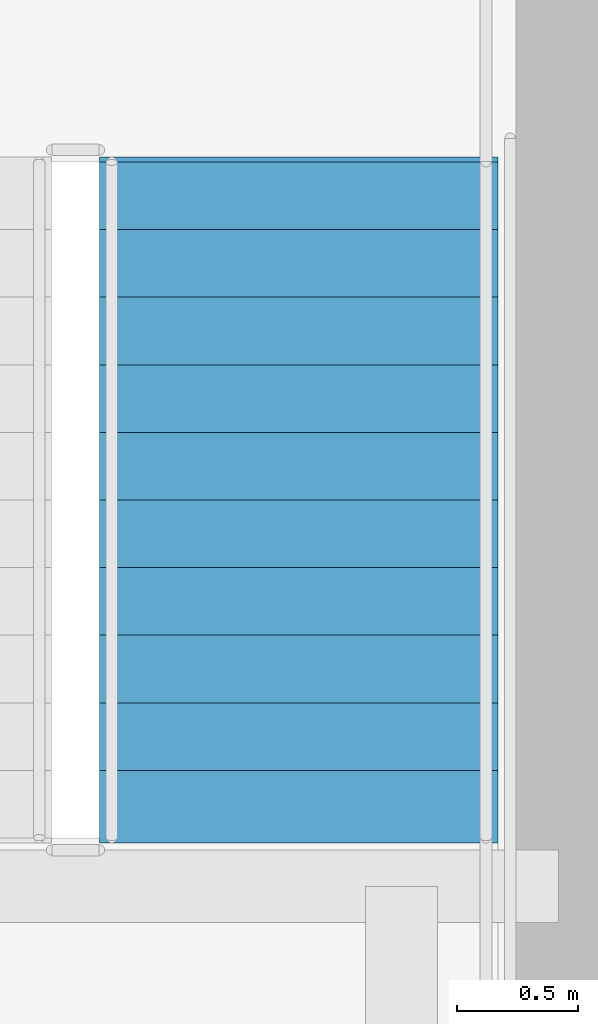
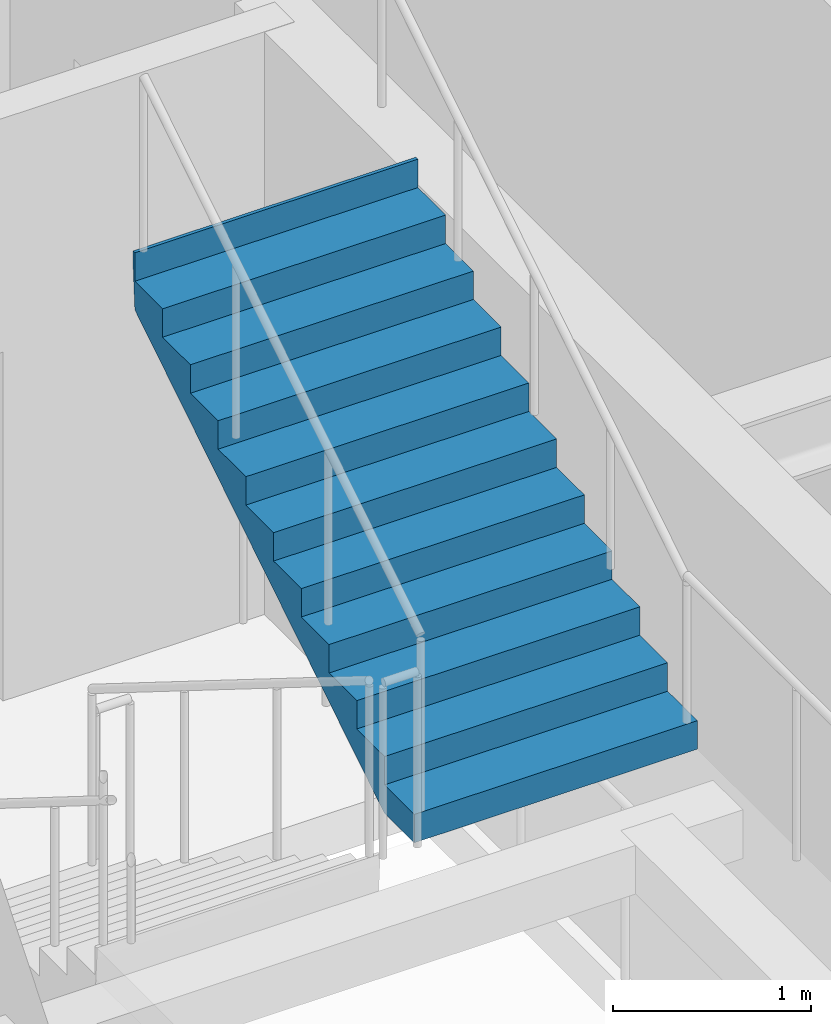
# One storey, part 32 of 37: 1 stair flight, 1 element without a shape of its own.
"""IFC4 building model written with IfcOpenShell, lengths in metres."""

from ifc_helpers import new_model, si_unit, direction, frame, origin, place, context, subcontext, project, spatial, polygons, material, type_object, element, aggregate, save


model = new_model("IFC4")

# Units and contexts
model_context = context("Model", 3, precision=1e-05, world=origin(), true_north=direction((0.0, 1.0)))
body_context = subcontext(model_context, "Body", "Model", "MODEL_VIEW")
ifc_project = project(units=[si_unit("LENGTHUNIT", "METRE"), si_unit("AREAUNIT", "SQUARE_METRE"), si_unit("VOLUMEUNIT", "CUBIC_METRE"), si_unit("PLANEANGLEUNIT", "RADIAN"), si_unit("MASSUNIT", "GRAM", prefix="KILO")], contexts=[model_context])

# Site, building, storey
site_placement = place(None, origin())
site = spatial("IfcSite", under=ifc_project, at=site_placement, CompositionType="ELEMENT")
building_placement = place(site_placement, origin())
building = spatial("IfcBuilding", under=site, at=building_placement, Name="Serunith Strait Residences", CompositionType="ELEMENT")
storey_placement = place(building_placement, frame((0.0, 0.0, 248.949951171875)))
storey = spatial("IfcBuildingStorey", under=building, at=storey_placement, Name="L62", CompositionType="ELEMENT", Elevation=248.949951171875)

# Stair, stair flight
ifc_material = material(Name="Concrete C50/60", Category="concrete")
stair_type = type_object("IfcStairType", Name="STR-CORE-2", PredefinedType="HALF_TURN_STAIR", material=ifc_material)
stair_placement = place(storey_placement, origin())
stair = element("IfcStair", 1, at=stair_placement, inside=storey, type_object=stair_type, Name="L62 Protected Escape Stair ST-2", PredefinedType="HALF_TURN_STAIR")
stair_flight_type = type_object("IfcStairFlightType", Name="FLT-CORE-2", PredefinedType="STRAIGHT", material=ifc_material)
stair_flight_placement = place(storey_placement, frame((40.324951171875, 20.570068359375, 1.925048828125), z_axis=(0.0, 0.0, 1.0), x_axis=(0.0, 1.0, 0.0)))
stair_flight = element("IfcStairFlight", 2, at=stair_flight_placement, type_object=stair_flight_type, Name="ST-2 flight 2", NumberOfRisers=11, NumberOfTreads=10, PredefinedType="STRAIGHT", RiserHeight=0.175, TreadLength=0.28, context=body_context, shape_type="Tessellation", body=[
    polygons([(-0.02001953125, -0.824951171875, 0.0), (-0.02001953125, -0.824951171875, 0.175048828125), (0.280029296875, -0.824951171875, 0.175048828125), (0.280029296875, -0.824951171875, 0.35009765625), (0.56005859375, -0.824951171875, 0.35009765625), (0.56005859375, -0.824951171875, 0.52490234375), (0.840087890625, -0.824951171875, 0.52490234375), (0.840087890625, -0.824951171875, 0.699951171875), (1.1201171875, -0.824951171875, 0.699951171875), (1.1201171875, -0.824951171875, 0.875), (1.39990234375, -0.824951171875, 0.875), (1.39990234375, -0.824951171875, 1.050048828125), (1.679931640625, -0.824951171875, 1.050048828125), (1.679931640625, -0.824951171875, 1.22509765625), (1.9599609375, -0.824951171875, 1.22509765625), (1.9599609375, -0.824951171875, 1.39990234375), (2.239990234375, -0.824951171875, 1.39990234375), (2.239990234375, -0.824951171875, 1.574951171875), (2.52001953125, -0.824951171875, 1.574951171875), (2.52001953125, -0.824951171875, 1.75), (2.800048828125, -0.824951171875, 1.75), (2.800048828125, -0.824951171875, 1.925048828125), (2.820068359375, -0.824951171875, 1.925048828125), (2.820068359375, -0.824951171875, 1.864990234375), (2.800048828125, -0.824951171875, 1.5732421875), (0.28271484375, -0.824951171875, 0.0), (-0.02001953125, -0.41259765625, 0.0), (-0.02001953125, -0.41259765625, 0.175048828125), (0.280029296875, -0.41259765625, 0.175048828125), (0.280029296875, -0.41259765625, 0.35009765625), (0.56005859375, -0.41259765625, 0.35009765625), (0.56005859375, -0.41259765625, 0.52490234375), (0.840087890625, -0.41259765625, 0.52490234375), (0.840087890625, -0.41259765625, 0.699951171875), (1.1201171875, -0.41259765625, 0.699951171875), (1.1201171875, -0.41259765625, 0.875), (1.39990234375, -0.41259765625, 0.875), (1.39990234375, -0.41259765625, 1.050048828125), (1.679931640625, -0.41259765625, 1.050048828125), (1.679931640625, -0.41259765625, 1.22509765625), (1.9599609375, -0.41259765625, 1.22509765625), (1.9599609375, -0.41259765625, 1.39990234375), (2.239990234375, -0.41259765625, 1.39990234375), (2.239990234375, -0.41259765625, 1.574951171875), (2.52001953125, -0.41259765625, 1.574951171875), (2.52001953125, -0.41259765625, 1.75), (2.800048828125, -0.41259765625, 1.75), (2.800048828125, -0.41259765625, 1.925048828125), (2.820068359375, -0.41259765625, 1.925048828125), (2.820068359375, -0.41259765625, 1.864990234375), (2.800048828125, -0.41259765625, 1.5732421875), (0.28271484375, -0.41259765625, 0.0), (-0.02001953125, 0.0, 0.0), (-0.02001953125, 0.0, 0.175048828125), (0.280029296875, 0.0, 0.175048828125), (0.280029296875, 0.0, 0.35009765625), (0.56005859375, 0.0, 0.35009765625), (0.56005859375, 0.0, 0.52490234375), (0.840087890625, 0.0, 0.52490234375), (0.840087890625, 0.0, 0.699951171875), (1.1201171875, 0.0, 0.699951171875), (1.1201171875, 0.0, 0.875), (1.39990234375, 0.0, 0.875), (1.39990234375, 0.0, 1.050048828125), (1.679931640625, 0.0, 1.050048828125), (1.679931640625, 0.0, 1.22509765625), (1.9599609375, 0.0, 1.22509765625), (1.9599609375, 0.0, 1.39990234375), (2.239990234375, 0.0, 1.39990234375), (2.239990234375, 0.0, 1.574951171875), (2.52001953125, 0.0, 1.574951171875), (2.52001953125, 0.0, 1.75), (2.800048828125, 0.0, 1.75), (2.800048828125, 0.0, 1.925048828125), (2.820068359375, 0.0, 1.925048828125), (2.820068359375, 0.0, 1.864990234375), (2.800048828125, 0.0, 1.5732421875), (0.28271484375, 0.0, 0.0), (-0.02001953125, 0.41259765625, 0.0), (-0.02001953125, 0.41259765625, 0.175048828125), (0.280029296875, 0.41259765625, 0.175048828125), (0.280029296875, 0.41259765625, 0.35009765625), (0.56005859375, 0.41259765625, 0.35009765625), (0.56005859375, 0.41259765625, 0.52490234375), (0.840087890625, 0.41259765625, 0.52490234375), (0.840087890625, 0.41259765625, 0.699951171875), (1.1201171875, 0.41259765625, 0.699951171875), (1.1201171875, 0.41259765625, 0.875), (1.39990234375, 0.41259765625, 0.875), (1.39990234375, 0.41259765625, 1.050048828125), (1.679931640625, 0.41259765625, 1.050048828125), (1.679931640625, 0.41259765625, 1.22509765625), (1.9599609375, 0.41259765625, 1.22509765625), (1.9599609375, 0.41259765625, 1.39990234375), (2.239990234375, 0.41259765625, 1.39990234375), (2.239990234375, 0.41259765625, 1.574951171875), (2.52001953125, 0.41259765625, 1.574951171875), (2.52001953125, 0.41259765625, 1.75), (2.800048828125, 0.41259765625, 1.75), (2.800048828125, 0.41259765625, 1.925048828125), (2.820068359375, 0.41259765625, 1.925048828125), (2.820068359375, 0.41259765625, 1.864990234375), (2.800048828125, 0.41259765625, 1.5732421875), (0.28271484375, 0.41259765625, 0.0), (-0.02001953125, 0.824951171875, 0.0), (-0.02001953125, 0.824951171875, 0.175048828125), (0.280029296875, 0.824951171875, 0.175048828125), (0.280029296875, 0.824951171875, 0.35009765625), (0.56005859375, 0.824951171875, 0.35009765625), (0.56005859375, 0.824951171875, 0.52490234375), (0.840087890625, 0.824951171875, 0.52490234375), (0.840087890625, 0.824951171875, 0.699951171875), (1.1201171875, 0.824951171875, 0.699951171875), (1.1201171875, 0.824951171875, 0.875), (1.39990234375, 0.824951171875, 0.875), (1.39990234375, 0.824951171875, 1.050048828125), (1.679931640625, 0.824951171875, 1.050048828125), (1.679931640625, 0.824951171875, 1.22509765625), (1.9599609375, 0.824951171875, 1.22509765625), (1.9599609375, 0.824951171875, 1.39990234375), (2.239990234375, 0.824951171875, 1.39990234375), (2.239990234375, 0.824951171875, 1.574951171875), (2.52001953125, 0.824951171875, 1.574951171875), (2.52001953125, 0.824951171875, 1.75), (2.800048828125, 0.824951171875, 1.75), (2.800048828125, 0.824951171875, 1.925048828125), (2.820068359375, 0.824951171875, 1.925048828125), (2.820068359375, 0.824951171875, 1.864990234375), (2.800048828125, 0.824951171875, 1.5732421875), (0.28271484375, 0.824951171875, 0.0)], [[[1, 2, 28, 27]], [[2, 3, 29, 28]], [[3, 4, 30, 29]], [[4, 5, 31, 30]], [[5, 6, 32, 31]], [[6, 7, 33, 32]], [[7, 8, 34, 33]], [[8, 9, 35, 34]], [[9, 10, 36, 35]], [[10, 11, 37, 36]], [[11, 12, 38, 37]], [[12, 13, 39, 38]], [[13, 14, 40, 39]], [[14, 15, 41, 40]], [[15, 16, 42, 41]], [[16, 17, 43, 42]], [[17, 18, 44, 43]], [[18, 19, 45, 44]], [[19, 20, 46, 45]], [[20, 21, 47, 46]], [[21, 22, 48, 47]], [[22, 23, 49, 48]], [[23, 24, 50, 49]], [[24, 25, 51, 50]], [[25, 26, 52, 51]], [[26, 1, 27, 52]], [[27, 28, 54, 53]], [[28, 29, 55, 54]], [[29, 30, 56, 55]], [[30, 31, 57, 56]], [[31, 32, 58, 57]], [[32, 33, 59, 58]], [[33, 34, 60, 59]], [[34, 35, 61, 60]], [[35, 36, 62, 61]], [[36, 37, 63, 62]], [[37, 38, 64, 63]], [[38, 39, 65, 64]], [[39, 40, 66, 65]], [[40, 41, 67, 66]], [[41, 42, 68, 67]], [[42, 43, 69, 68]], [[43, 44, 70, 69]], [[44, 45, 71, 70]], [[45, 46, 72, 71]], [[46, 47, 73, 72]], [[47, 48, 74, 73]], [[48, 49, 75, 74]], [[49, 50, 76, 75]], [[50, 51, 77, 76]], [[51, 52, 78, 77]], [[52, 27, 53, 78]], [[53, 54, 80, 79]], [[54, 55, 81, 80]], [[55, 56, 82, 81]], [[56, 57, 83, 82]], [[57, 58, 84, 83]], [[58, 59, 85, 84]], [[59, 60, 86, 85]], [[60, 61, 87, 86]], [[61, 62, 88, 87]], [[62, 63, 89, 88]], [[63, 64, 90, 89]], [[64, 65, 91, 90]], [[65, 66, 92, 91]], [[66, 67, 93, 92]], [[67, 68, 94, 93]], [[68, 69, 95, 94]], [[69, 70, 96, 95]], [[70, 71, 97, 96]], [[71, 72, 98, 97]], [[72, 73, 99, 98]], [[73, 74, 100, 99]], [[74, 75, 101, 100]], [[75, 76, 102, 101]], [[76, 77, 103, 102]], [[77, 78, 104, 103]], [[78, 53, 79, 104]], [[79, 80, 106, 105]], [[80, 81, 107, 106]], [[81, 82, 108, 107]], [[82, 83, 109, 108]], [[83, 84, 110, 109]], [[84, 85, 111, 110]], [[85, 86, 112, 111]], [[86, 87, 113, 112]], [[87, 88, 114, 113]], [[88, 89, 115, 114]], [[89, 90, 116, 115]], [[90, 91, 117, 116]], [[91, 92, 118, 117]], [[92, 93, 119, 118]], [[93, 94, 120, 119]], [[94, 95, 121, 120]], [[95, 96, 122, 121]], [[96, 97, 123, 122]], [[97, 98, 124, 123]], [[98, 99, 125, 124]], [[99, 100, 126, 125]], [[100, 101, 127, 126]], [[101, 102, 128, 127]], [[102, 103, 129, 128]], [[103, 104, 130, 129]], [[104, 79, 105, 130]], [[26, 25, 24, 23, 22, 21, 20, 19, 18, 17, 16, 15, 14, 13, 12, 11, 10, 9, 8, 7, 6, 5, 4, 3, 2, 1]], [[105, 106, 107, 108, 109, 110, 111, 112, 113, 114, 115, 116, 117, 118, 119, 120, 121, 122, 123, 124, 125, 126, 127, 128, 129, 130]]], closed=True),
])
aggregate(stair, [stair_flight])

save(model, "model.ifc")
